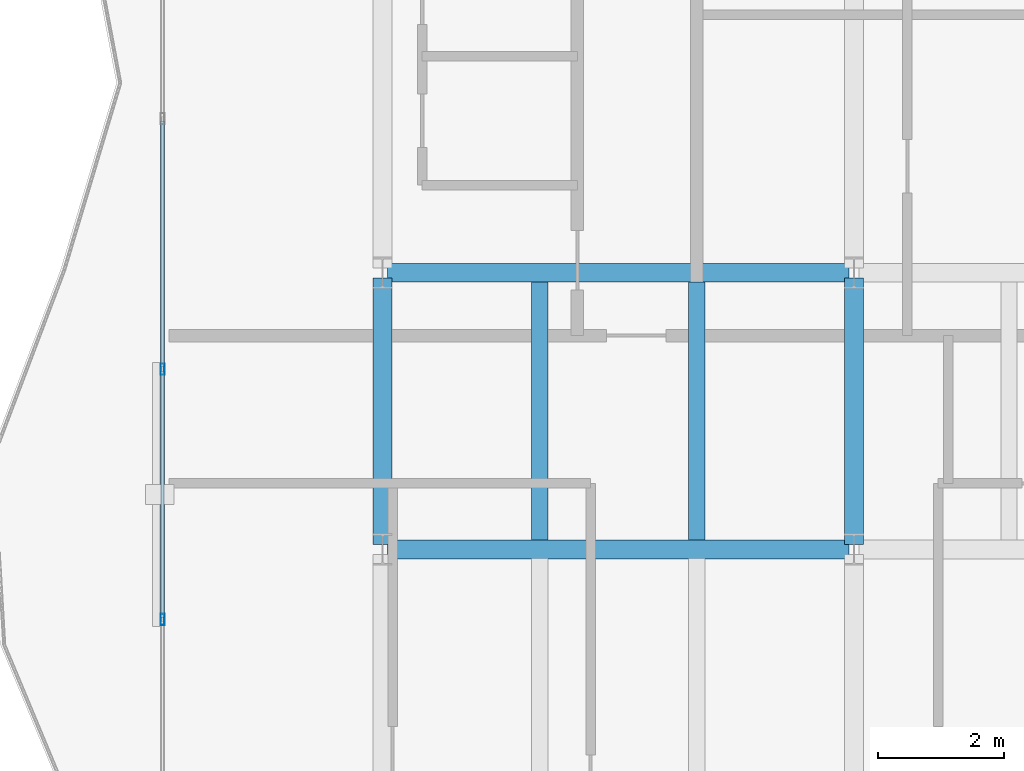
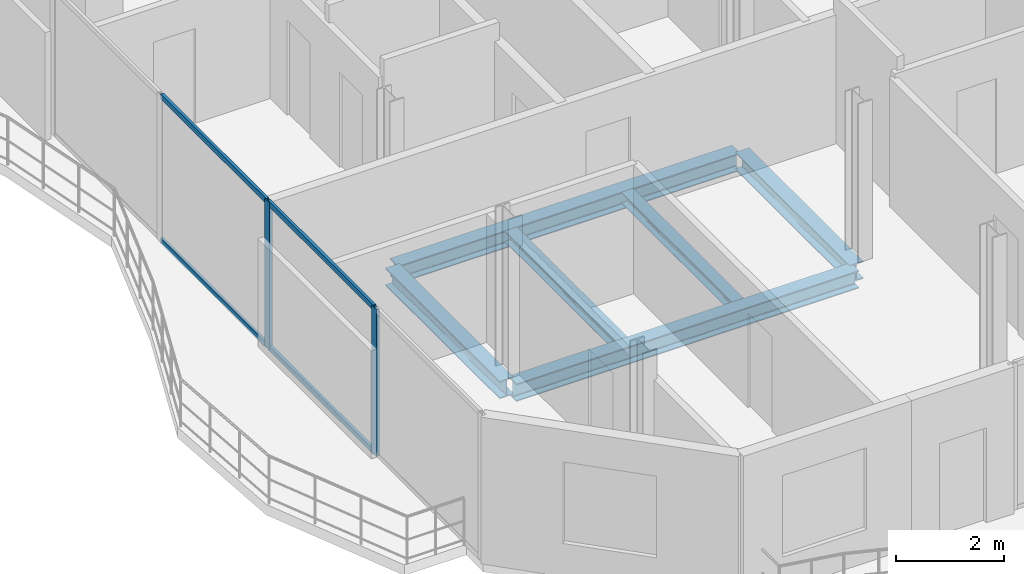
# One storey, part 5 of 23: 6 beams, 6 members, 1 element without a shape of its own.
"""IFC4 building model written with IfcOpenShell, lengths in metres."""

from ifc_helpers import new_model, si_unit, direction, frame, origin, origin_2d, place, context, subcontext, project, spatial, hollow_rectangle, i_section, extrude, material, layer, layer_set, material_profile, profile_set, type_object, element, aggregate, save


model = new_model("IFC4")

# Units and contexts
model_context = context("Model", 3, precision=1e-05, world=origin(), true_north=direction((0.0, 1.0)))
body_context = subcontext(model_context, "Body", "Model", "MODEL_VIEW")
ifc_project = project(units=[si_unit("LENGTHUNIT", "METRE"), si_unit("AREAUNIT", "SQUARE_METRE"), si_unit("VOLUMEUNIT", "CUBIC_METRE"), si_unit("PLANEANGLEUNIT", "RADIAN"), si_unit("MASSUNIT", "GRAM", prefix="KILO")], contexts=[model_context])

# Site, building, storey
site_placement = place(None, origin())
site = spatial("IfcSite", under=ifc_project, at=site_placement, CompositionType="ELEMENT")
building_placement = place(site_placement, origin())
building = spatial("IfcBuilding", under=site, at=building_placement, Name="Catumbela Crestline Tower", CompositionType="ELEMENT")
storey_placement = place(building_placement, frame((0.0, 0.0, 172.2)))
storey = spatial("IfcBuildingStorey", under=building, at=storey_placement, Name="L44", CompositionType="ELEMENT", Elevation=172.2)

# Beams
ifc_material_1 = material(Name="Structural steel S355J2", Category="steel")
ifc_material_profile_1 = material_profile(ifc_material_1, i_section(OverallWidth=0.3, OverallDepth=0.4, WebThickness=0.0135, FlangeThickness=0.024, FilletRadius=0.027, at=origin_2d()), Name="HEB 400")
ifc_profile_set_1 = profile_set([ifc_material_profile_1], Name="Structural steel S355J2")
beam_type_1 = type_object("IfcBeamType", Name="BG-HEB400", PredefinedType="BEAM", material=ifc_profile_set_1)
for number, where, z_axis, x_axis, name in (
    (1, (8.58, 13.6, -0.46), (1.0, 0.0, 0.0), (0.0, 1.0, 0.0), "L44 Beam BM-L44-WEW33"),
    (2, (8.58, 18.0, -0.46), (1.0, 0.0, 0.0), (0.0, 1.0, 0.0), "L44 Beam BM-L44-WEW35"),
):
    element("IfcBeam", number, at=place(storey_placement, frame(where, z_axis=z_axis, x_axis=x_axis)), inside=storey, type_object=beam_type_1, Name=name, PredefinedType="BEAM", context=body_context, shape_type="SweptSolid", body=[
        extrude(i_section(OverallWidth=0.3, OverallDepth=0.4, WebThickness=0.0135, FlangeThickness=0.024, FilletRadius=0.027, at=origin_2d()), origin(), (0.0, 0.0, 1.0), 7.34),
    ])
for number, where, z_axis, x_axis, name in (
    (3, (8.5, 13.68, -0.46), (0.0, 1.0, 0.0), (-1.0, 0.0, 0.0), "L44 Beam BM-L44-WNS38"),
    (4, (16.0, 13.68, -0.46), (0.0, 1.0, 0.0), (-1.0, 0.0, 0.0), "L44 Beam BM-L44-WNS41"),
):
    element("IfcBeam", number, at=place(storey_placement, frame(where, z_axis=z_axis, x_axis=x_axis)), inside=storey, type_object=beam_type_1, Name=name, PredefinedType="BEAM", context=body_context, shape_type="SweptSolid", body=[
        extrude(i_section(OverallWidth=0.3, OverallDepth=0.4, WebThickness=0.0135, FlangeThickness=0.024, FilletRadius=0.027, at=origin_2d()), origin(), (0.0, 0.0, 1.0), 4.24),
    ])
ifc_material_profile_2 = material_profile(ifc_material_1, i_section(OverallWidth=0.26, OverallDepth=0.25, WebThickness=0.0075, FlangeThickness=0.0125, FilletRadius=0.024, at=origin_2d()), Name="HEA 260")
ifc_profile_set_2 = profile_set([ifc_material_profile_2], Name="Structural steel S355J2")
beam_type_2 = type_object("IfcBeamType", Name="BJ-HEA260", PredefinedType="JOIST", material=ifc_profile_set_2)
for number, where, z_axis, x_axis, name in (
    (5, (11.0, 13.747, -0.385), (0.0, 1.0, 0.0), (-1.0, 0.0, 0.0), "L44 Joist JS-L44-WG46"),
    (6, (13.5, 13.747, -0.385), (0.0, 1.0, 0.0), (-1.0, 0.0, 0.0), "L44 Joist JS-L44-WG47"),
):
    element("IfcBeam", number, at=place(storey_placement, frame(where, z_axis=z_axis, x_axis=x_axis)), inside=storey, type_object=beam_type_2, Name=name, PredefinedType="JOIST", context=body_context, shape_type="SweptSolid", body=[
        extrude(i_section(OverallWidth=0.26, OverallDepth=0.25, WebThickness=0.0075, FlangeThickness=0.0125, FilletRadius=0.024, at=origin_2d()), origin(), (0.0, 0.0, 1.0), 4.106),
    ])

# Curtain wall, members
ifc_material_2 = material(Name="Aluminium alloy AW-6060-T66", Category="aluminium")
ifc_layer = layer(ifc_material_2, 0.18, Name="Aluminium alloy AW-6060-T66")
ifc_layer_set = layer_set([ifc_layer], Name="Aluminium alloy AW-6060-T66")
curtain_wall_type = type_object("IfcCurtainWallType", Name="CWU-Z3", PredefinedType="USERDEFINED", material=ifc_layer_set)
curtain_wall_placement = place(storey_placement, origin())
curtain_wall = element("IfcCurtainWall", 7, at=curtain_wall_placement, inside=storey, type_object=curtain_wall_type, Name="L44 Unitised Curtain Wall CW-L44-E9S2", ObjectType="UNITISED", PredefinedType="USERDEFINED")
ifc_material_profile_3 = material_profile(ifc_material_2, hollow_rectangle(XDim=0.065, YDim=0.18, WallThickness=0.004, at=origin_2d()), Name="ALU 180x65x4")
ifc_profile_set_3 = profile_set([ifc_material_profile_3], Name="Aluminium alloy AW-6060-T66")
member_type_1 = type_object("IfcMemberType", Name="MUL-180X65", PredefinedType="MULLION", material=ifc_profile_set_3)
member_1_placement = place(storey_placement, frame((5.0, 16.4667, 0.0), z_axis=(0.0, 0.0, 1.0), x_axis=(1.0, 0.0, 0.0)))
member_1 = element("IfcMember", 8, at=member_1_placement, type_object=member_type_1, Name="CWU-Z3 mullion 5", PredefinedType="MULLION", context=body_context, shape_type="SweptSolid", body=[
    extrude(hollow_rectangle(XDim=0.065, YDim=0.18, WallThickness=0.004, at=origin_2d()), origin(), (0.0, 0.0, 1.0), 3.33),
])
member_2_placement = place(storey_placement, frame((5.0, 12.4833, 0.0), z_axis=(0.0, 0.0, 1.0), x_axis=(1.0, 0.0, 0.0)))
member_2 = element("IfcMember", 9, at=member_2_placement, type_object=member_type_1, Name="CWU-Z3 mullion 6", PredefinedType="MULLION", context=body_context, shape_type="SweptSolid", body=[
    extrude(hollow_rectangle(XDim=0.065, YDim=0.18, WallThickness=0.004, at=origin_2d()), origin(), (0.0, 0.0, 1.0), 3.33),
])
ifc_material_profile_4 = material_profile(ifc_material_2, hollow_rectangle(XDim=0.06, YDim=0.12, WallThickness=0.0035, at=origin_2d()), Name="ALU 120x60x3.5")
ifc_profile_set_4 = profile_set([ifc_material_profile_4], Name="Aluminium alloy AW-6060-T66")
member_type_2 = type_object("IfcMemberType", Name="TRN-120X60", PredefinedType="USERDEFINED", material=ifc_profile_set_4)
member_3_placement = place(storey_placement, frame((5.0, 20.4175, 0.03), z_axis=(0.0, -1.0, 0.0), x_axis=(1.0, 0.0, 0.0)))
member_3 = element("IfcMember", 10, at=member_3_placement, type_object=member_type_2, Name="CWU-Z3 transom 4.1", ObjectType="TRANSOM", PredefinedType="USERDEFINED", context=body_context, shape_type="SweptSolid", body=[
    extrude(hollow_rectangle(XDim=0.06, YDim=0.12, WallThickness=0.0035, at=origin_2d()), origin(), (0.0, 0.0, 1.0), 3.9183),
])
member_4_placement = place(storey_placement, frame((5.0, 20.4175, 3.3), z_axis=(0.0, -1.0, 0.0), x_axis=(1.0, 0.0, 0.0)))
member_4 = element("IfcMember", 11, at=member_4_placement, type_object=member_type_2, Name="CWU-Z3 transom 4.2", ObjectType="TRANSOM", PredefinedType="USERDEFINED", context=body_context, shape_type="SweptSolid", body=[
    extrude(hollow_rectangle(XDim=0.06, YDim=0.12, WallThickness=0.0035, at=origin_2d()), origin(), (0.0, 0.0, 1.0), 3.9183),
])
member_5_placement = place(storey_placement, frame((5.0, 16.4342, 0.03), z_axis=(0.0, -1.0, 0.0), x_axis=(1.0, 0.0, 0.0)))
member_5 = element("IfcMember", 12, at=member_5_placement, type_object=member_type_2, Name="CWU-Z3 transom 5.1", ObjectType="TRANSOM", PredefinedType="USERDEFINED", context=body_context, shape_type="SweptSolid", body=[
    extrude(hollow_rectangle(XDim=0.06, YDim=0.12, WallThickness=0.0035, at=origin_2d()), origin(), (0.0, 0.0, 1.0), 3.9184),
])
member_6_placement = place(storey_placement, frame((5.0, 16.4342, 3.3), z_axis=(0.0, -1.0, 0.0), x_axis=(1.0, 0.0, 0.0)))
member_6 = element("IfcMember", 13, at=member_6_placement, type_object=member_type_2, Name="CWU-Z3 transom 5.2", ObjectType="TRANSOM", PredefinedType="USERDEFINED", context=body_context, shape_type="SweptSolid", body=[
    extrude(hollow_rectangle(XDim=0.06, YDim=0.12, WallThickness=0.0035, at=origin_2d()), origin(), (0.0, 0.0, 1.0), 3.9184),
])
aggregate(curtain_wall, [member_1, member_2, member_3, member_4, member_5, member_6])

save(model, "model.ifc")
